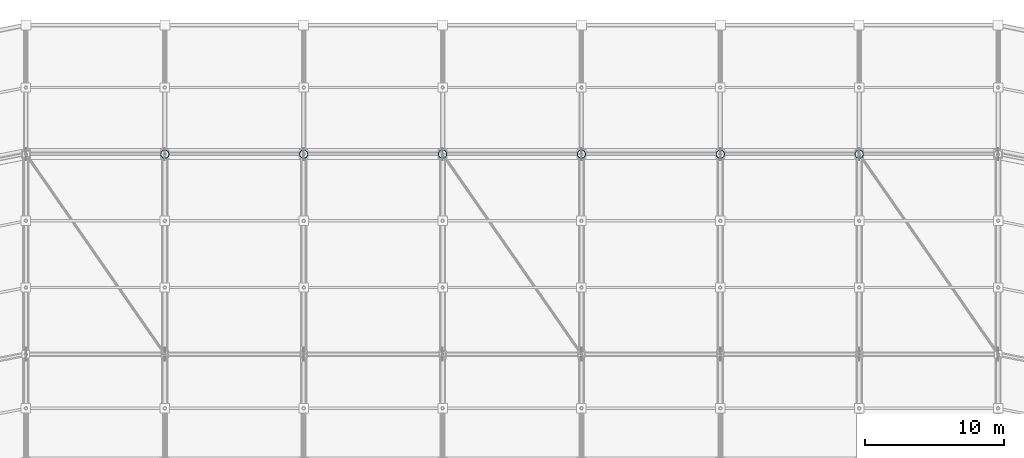
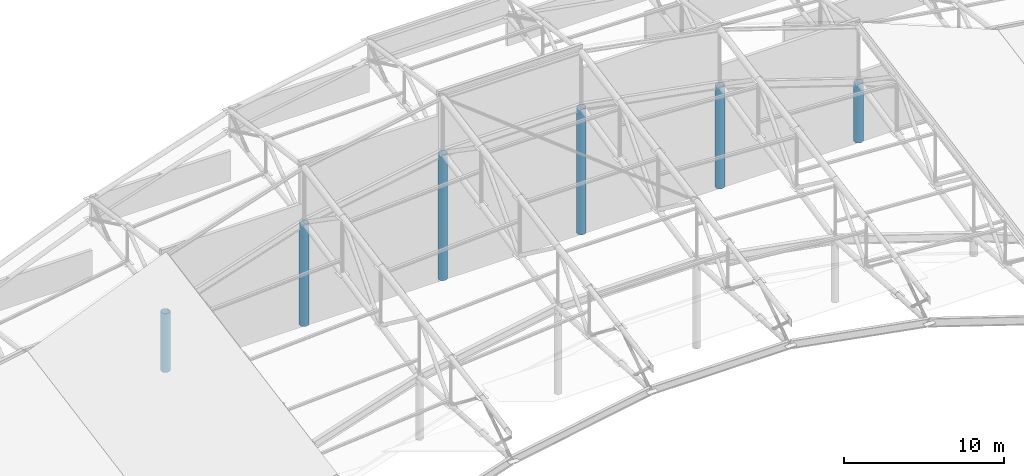
# One storey, part 7 of 146: 6 columns.
"""IFC4 building model written with IfcOpenShell, lengths in metres."""

from ifc_helpers import new_model, si_unit, direction, frame, origin, origin_2d, place, context, subcontext, project, spatial, hollow_circle, extrude, material, material_profile, profile_set, type_object, element, save


model = new_model("IFC4")

# Units and contexts
model_context = context("Model", 3, precision=1e-05, world=origin(), true_north=direction((0.0, 1.0)))
body_context = subcontext(model_context, "Body", "Model", "MODEL_VIEW")
ifc_project = project(units=[si_unit("LENGTHUNIT", "METRE"), si_unit("AREAUNIT", "SQUARE_METRE"), si_unit("VOLUMEUNIT", "CUBIC_METRE"), si_unit("PLANEANGLEUNIT", "RADIAN"), si_unit("MASSUNIT", "GRAM", prefix="KILO")], contexts=[model_context])

# Site, building, storey
site_placement = place(None, origin())
site = spatial("IfcSite", under=ifc_project, at=site_placement, CompositionType="ELEMENT")
building_placement = place(site_placement, origin())
building = spatial("IfcBuilding", under=site, at=building_placement, Name="Candeia Ridge Stadium", CompositionType="ELEMENT")
storey_placement = place(building_placement, frame((0.0, 0.0, 31.800048828125)))
storey = spatial("IfcBuildingStorey", under=building, at=storey_placement, Name="RF", CompositionType="ELEMENT", Elevation=31.800048828125)

# Columns
ifc_material = material(Name="Steel ASTM A572 Grade 50", Category="steel")
ifc_material_profile = material_profile(ifc_material, hollow_circle(Radius=0.304931640625, WallThickness=0.02490234375, at=origin_2d()), Name="CHS610x25", Category="steel")
ifc_profile_set = profile_set([ifc_material_profile], Name="Steel ASTM A572 Grade 50")
column_type = type_object("IfcColumnType", Name="Roof Mast Column CHS610x25", PredefinedType="PILASTER", material=ifc_profile_set)
column_1_placement = place(storey_placement, frame((131.0, 147.0, 0.0), z_axis=(0.0, 0.0, 1.0), x_axis=(1.0, 0.0, 0.0)))
element("IfcColumn", 1, at=column_1_placement, inside=storey, type_object=column_type, Name="Roof truss steel mast column BC-OU-01 RF", PredefinedType="PILASTER", context=body_context, shape_type="SweptSolid", body=[
    extrude(hollow_circle(Radius=0.304931640625, WallThickness=0.02490234375, at=origin_2d()), origin(), (0.0, 0.0, 1.0), 4.478515625),
])
column_2_placement = place(storey_placement, frame((121.0, 147.0, 0.0), z_axis=(0.0, 0.0, 1.0), x_axis=(1.0, 0.0, 0.0)))
element("IfcColumn", 2, at=column_2_placement, inside=storey, type_object=column_type, Name="Roof truss steel mast column BC-OU-02 RF", PredefinedType="PILASTER", context=body_context, shape_type="SweptSolid", body=[
    extrude(hollow_circle(Radius=0.304931640625, WallThickness=0.02490234375, at=origin_2d()), origin(), (0.0, 0.0, 1.0), 7.749267578125),
])
for number, where, z_axis, x_axis, name in (
    (3, (111.0, 147.0, 0.0), (0.0, 0.0, 1.0), (1.0, 0.0, 0.0), "Roof truss steel mast column BC-OU-03 RF"),
    (4, (101.0, 147.0, 0.0), (0.0, 0.0, 1.0), (1.0, 0.0, 0.0), "Roof truss steel mast column BC-OU-04 RF"),
):
    element("IfcColumn", number, at=place(storey_placement, frame(where, z_axis=z_axis, x_axis=x_axis)), inside=storey, type_object=column_type, Name=name, PredefinedType="PILASTER", context=body_context, shape_type="SweptSolid", body=[
        extrude(hollow_circle(Radius=0.304931640625, WallThickness=0.02490234375, at=origin_2d()), origin(), (0.0, 0.0, 1.0), 9.564208984375),
    ])
column_3_placement = place(storey_placement, frame((91.0, 147.0, 0.0), z_axis=(0.0, 0.0, 1.0), x_axis=(1.0, 0.0, 0.0)))
element("IfcColumn", 5, at=column_3_placement, inside=storey, type_object=column_type, Name="Roof truss steel mast column BC-OU-05 RF", PredefinedType="PILASTER", context=body_context, shape_type="SweptSolid", body=[
    extrude(hollow_circle(Radius=0.304931640625, WallThickness=0.02490234375, at=origin_2d()), origin(), (0.0, 0.0, 1.0), 7.749267578125),
])
column_4_placement = place(storey_placement, frame((81.0, 147.0, 0.0), z_axis=(0.0, 0.0, 1.0), x_axis=(1.0, 0.0, 0.0)))
element("IfcColumn", 6, at=column_4_placement, inside=storey, type_object=column_type, Name="Roof truss steel mast column BC-OU-06 RF", PredefinedType="PILASTER", context=body_context, shape_type="SweptSolid", body=[
    extrude(hollow_circle(Radius=0.304931640625, WallThickness=0.02490234375, at=origin_2d()), origin(), (0.0, 0.0, 1.0), 4.478515625),
])

save(model, "model.ifc")
